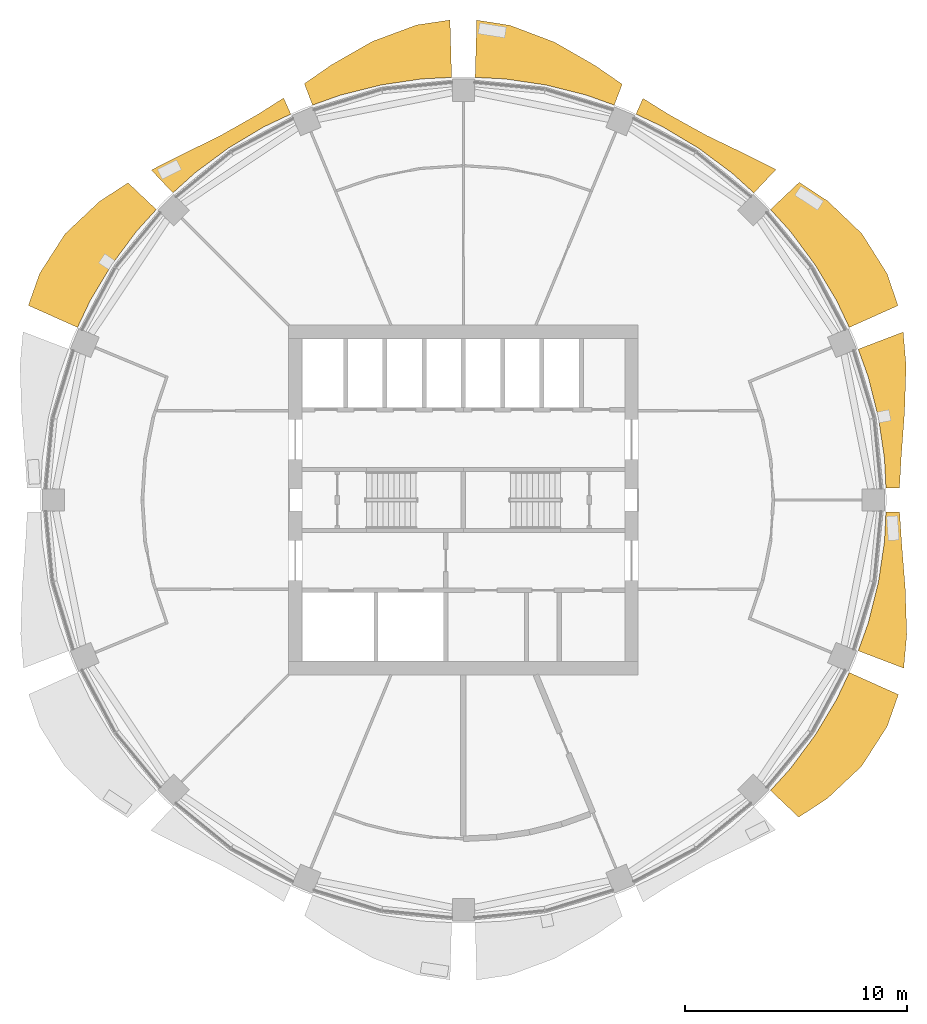
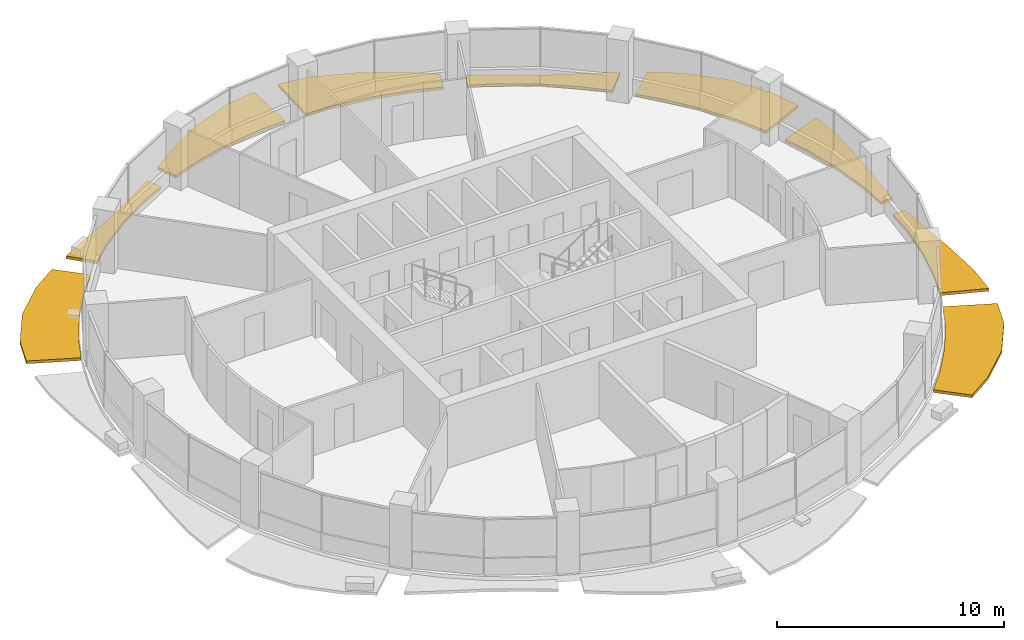
# One storey, part 14 of 15: 9 shading devices.
"""IFC4 building model written with IfcOpenShell, lengths in metres."""

from ifc_helpers import new_model, si_unit, direction, frame, origin, place, context, subcontext, project, spatial, polyline, outline, extrude, material, type_object, element, save


model = new_model("IFC4")

# Units and contexts
model_context = context("Model", 3, precision=1e-05, world=origin(), true_north=direction((0.0, 1.0)))
body_context = subcontext(model_context, "Body", "Model", "MODEL_VIEW")
ifc_project = project(units=[si_unit("LENGTHUNIT", "METRE"), si_unit("AREAUNIT", "SQUARE_METRE"), si_unit("VOLUMEUNIT", "CUBIC_METRE"), si_unit("PLANEANGLEUNIT", "RADIAN"), si_unit("MASSUNIT", "GRAM", prefix="KILO")], contexts=[model_context])

# Site, building, storey
site_placement = place(None, origin())
site = spatial("IfcSite", under=ifc_project, at=site_placement, CompositionType="ELEMENT")
building_placement = place(site_placement, origin())
building = spatial("IfcBuilding", under=site, at=building_placement, Name="Polderwave Tower", CompositionType="ELEMENT")
storey_placement = place(building_placement, frame((0.0, 0.0, 124.300048828125)))
storey = spatial("IfcBuildingStorey", under=building, at=storey_placement, Name="L32", CompositionType="ELEMENT", Elevation=124.300048828125)

# Shading devices
ifc_material = material(Name="Terracotta", Category="masonry")
shading_device_type = type_object("IfcShadingDeviceType", Name="Terracotta sunshade band", PredefinedType="USERDEFINED", material=ifc_material)
shading_device_1_placement = place(storey_placement, frame((0.0, 0.0, -0.35009765625)))
element("IfcShadingDevice", 1, at=shading_device_1_placement, inside=storey, type_object=shading_device_type, Name="Sunshade band L32 1", ObjectType="SUNSHADE", PredefinedType="USERDEFINED", context=body_context, shape_type="SweptSolid", body=[
    extrude(outline(polyline([(19.033935546875, 0.52978515625), (18.96826171875, 1.8681640625), (18.69384765625, 3.718505859375), (18.2392578125, 5.53271484375), (17.787841796875, 6.79443359375), (19.811767578125, 7.5673828125), (19.94189453125, 6.04931640625), (19.873046875, 3.952880859375), (19.72412109375, 1.942626953125), (19.64501953125, 0.546875), (19.033935546875, 0.52978515625)])), origin(), (0.0, 0.0, 1.0), 0.150146484375),
])
shading_device_2_placement = place(storey_placement, frame((0.0, 0.0, -0.35009765625)))
element("IfcShadingDevice", 2, at=shading_device_2_placement, inside=storey, type_object=shading_device_type, Name="Sunshade band L32 2", ObjectType="SUNSHADE", PredefinedType="USERDEFINED", context=body_context, shape_type="SweptSolid", body=[
    extrude(outline(polyline([(17.38232421875, 7.7734375), (16.809326171875, 8.98486328125), (15.847900390625, 10.589111328125), (14.733642578125, 12.091552734375), (13.833740234375, 13.08447265625), (15.128662109375, 14.30908203125), (16.410400390625, 13.467529296875), (17.951416015625, 11.994873046875), (19.08251953125, 10.19970703125), (19.577880859375, 8.755615234375), (17.38232421875, 7.7734375)])), origin(), (0.0, 0.0, 1.0), 0.150146484375),
])
shading_device_3_placement = place(storey_placement, frame((0.0, 0.0, -0.35009765625)))
element("IfcShadingDevice", 3, at=shading_device_3_placement, inside=storey, type_object=shading_device_type, Name="Sunshade band L32 3", ObjectType="SUNSHADE", PredefinedType="USERDEFINED", context=body_context, shape_type="SweptSolid", body=[
    extrude(outline(polyline([(13.08447265625, 13.833740234375), (12.091552734375, 14.733642578125), (10.589111328125, 15.847900390625), (8.98486328125, 16.809326171875), (7.7734375, 17.38232421875), (8.09033203125, 18.090576171875), (9.275390625, 17.352783203125), (10.96826171875, 16.415283203125), (12.7626953125, 15.551513671875), (14.08056640625, 14.88720703125), (13.08447265625, 13.833740234375)])), origin(), (0.0, 0.0, 1.0), 0.150146484375),
])
shading_device_4_placement = place(storey_placement, frame((0.0, 0.0, -0.35009765625)))
element("IfcShadingDevice", 4, at=shading_device_4_placement, inside=storey, type_object=shading_device_type, Name="Sunshade band L32 4", ObjectType="SUNSHADE", PredefinedType="USERDEFINED", context=body_context, shape_type="SweptSolid", body=[
    extrude(outline(polyline([(6.79443359375, 17.787841796875), (5.53271484375, 18.2392578125), (3.718505859375, 18.69384765625), (1.8681640625, 18.96826171875), (0.52978515625, 19.033935546875), (0.601806640625, 21.6162109375), (2.105712890625, 21.37890625), (4.102294921875, 20.62353515625), (5.93603515625, 19.568603515625), (7.15380859375, 18.728759765625), (6.79443359375, 17.787841796875)])), origin(), (0.0, 0.0, 1.0), 0.150146484375),
])
shading_device_5_placement = place(storey_placement, frame((0.0, 0.0, -0.35009765625)))
element("IfcShadingDevice", 5, at=shading_device_5_placement, inside=storey, type_object=shading_device_type, Name="Sunshade band L32 5", ObjectType="SUNSHADE", PredefinedType="USERDEFINED", context=body_context, shape_type="SweptSolid", body=[
    extrude(outline(polyline([(-0.52978515625, 19.033935546875), (-1.8681640625, 18.96826171875), (-3.718505859375, 18.69384765625), (-5.53271484375, 18.2392578125), (-6.79443359375, 17.787841796875), (-7.1630859375, 18.75341796875), (-5.9453125, 19.59912109375), (-4.108154296875, 20.653076171875), (-2.107421875, 21.39697265625), (-0.601806640625, 21.62158203125), (-0.52978515625, 19.033935546875)])), origin(), (0.0, 0.0, 1.0), 0.150146484375),
])
shading_device_6_placement = place(storey_placement, frame((0.0, 0.0, -0.35009765625)))
element("IfcShadingDevice", 6, at=shading_device_6_placement, inside=storey, type_object=shading_device_type, Name="Sunshade band L32 6", ObjectType="SUNSHADE", PredefinedType="USERDEFINED", context=body_context, shape_type="SweptSolid", body=[
    extrude(outline(polyline([(-7.7734375, 17.38232421875), (-8.98486328125, 16.809326171875), (-10.589111328125, 15.847900390625), (-12.091552734375, 14.733642578125), (-13.08447265625, 13.833740234375), (-14.05859375, 14.86376953125), (-12.74560546875, 15.530517578125), (-10.96142578125, 16.40478515625), (-9.2783203125, 17.3583984375), (-8.097900390625, 18.10791015625), (-7.7734375, 17.38232421875)])), origin(), (0.0, 0.0, 1.0), 0.150146484375),
])
shading_device_7_placement = place(storey_placement, frame((0.0, 0.0, -0.35009765625)))
element("IfcShadingDevice", 7, at=shading_device_7_placement, inside=storey, type_object=shading_device_type, Name="Sunshade band L32 7", ObjectType="SUNSHADE", PredefinedType="USERDEFINED", context=body_context, shape_type="SweptSolid", body=[
    extrude(outline(polyline([(-13.833740234375, 13.08447265625), (-14.733642578125, 12.091552734375), (-15.847900390625, 10.589111328125), (-16.809326171875, 8.98486328125), (-17.38232421875, 7.7734375), (-19.59521484375, 8.76318359375), (-19.088134765625, 10.202880859375), (-17.941162109375, 11.98779296875), (-16.389404296875, 13.450439453125), (-15.105224609375, 14.287109375), (-13.833740234375, 13.08447265625)])), origin(), (0.0, 0.0, 1.0), 0.150146484375),
])
shading_device_8_placement = place(storey_placement, frame((0.0, 0.0, -0.35009765625)))
element("IfcShadingDevice", 8, at=shading_device_8_placement, inside=storey, type_object=shading_device_type, Name="Sunshade band L32 15", ObjectType="SUNSHADE", PredefinedType="USERDEFINED", context=body_context, shape_type="SweptSolid", body=[
    extrude(outline(polyline([(13.833740234375, -13.08447265625), (14.733642578125, -12.091552734375), (15.847900390625, -10.589111328125), (16.809326171875, -8.98486328125), (17.38232421875, -7.7734375), (19.59521484375, -8.76318359375), (19.088134765625, -10.202880859375), (17.941162109375, -11.98779296875), (16.389404296875, -13.450439453125), (15.105224609375, -14.287109375), (13.833740234375, -13.08447265625)])), origin(), (0.0, 0.0, 1.0), 0.150146484375),
])
shading_device_9_placement = place(storey_placement, frame((0.0, 0.0, -0.35009765625)))
element("IfcShadingDevice", 9, at=shading_device_9_placement, inside=storey, type_object=shading_device_type, Name="Sunshade band L32 16", ObjectType="SUNSHADE", PredefinedType="USERDEFINED", context=body_context, shape_type="SweptSolid", body=[
    extrude(outline(polyline([(17.787841796875, -6.79443359375), (18.2392578125, -5.53271484375), (18.69384765625, -3.718505859375), (18.96826171875, -1.8681640625), (19.033935546875, -0.52978515625), (19.650390625, -0.547119140625), (19.7421875, -1.9443359375), (19.902587890625, -3.958740234375), (19.972412109375, -6.05859375), (19.83642578125, -7.576904296875), (17.787841796875, -6.79443359375)])), origin(), (0.0, 0.0, 1.0), 0.150146484375),
])

save(model, "model.ifc")
